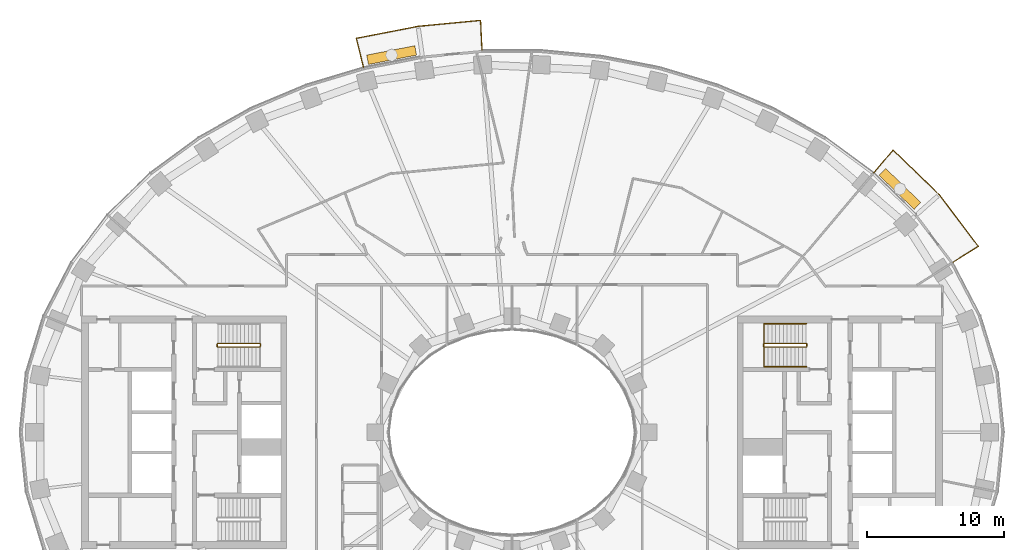
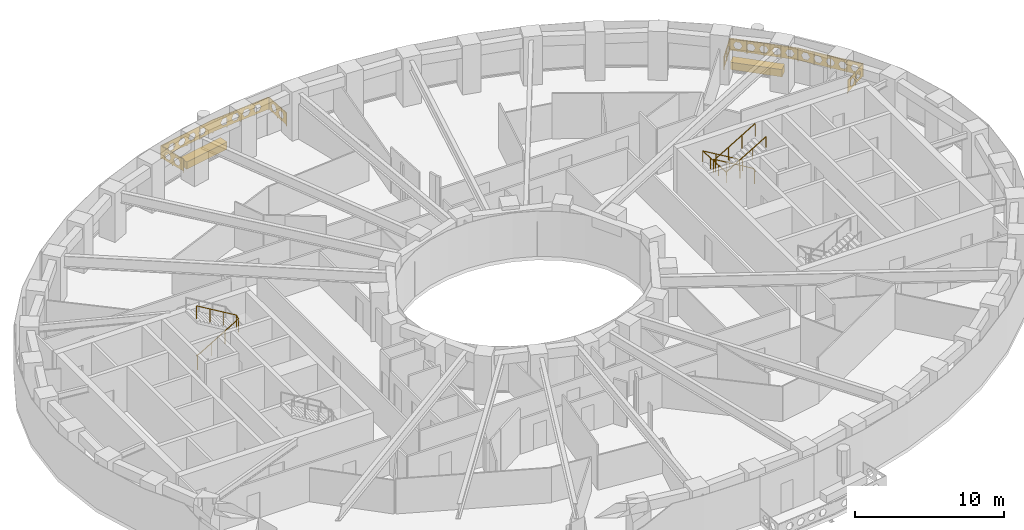
# One storey, part 15 of 16: 5 railings, 2 coverings.
"""IFC4 building model written with IfcOpenShell, lengths in metres."""

from ifc_helpers import new_model, si_unit, direction, frame, origin, origin_2d, place, context, subcontext, project, spatial, polyline, rectangle, outline, extrude, material, type_object, element, save


model = new_model("IFC4")

# Units and contexts
model_context = context("Model", 3, precision=1e-05, world=origin(), true_north=direction((0.0, 1.0)))
body_context = subcontext(model_context, "Body", "Model", "MODEL_VIEW")
ifc_project = project(units=[si_unit("LENGTHUNIT", "METRE"), si_unit("AREAUNIT", "SQUARE_METRE"), si_unit("VOLUMEUNIT", "CUBIC_METRE"), si_unit("PLANEANGLEUNIT", "RADIAN"), si_unit("MASSUNIT", "GRAM", prefix="KILO")], contexts=[model_context])

# Site, building, storey
site_placement = place(None, origin())
site = spatial("IfcSite", under=ifc_project, at=site_placement, CompositionType="ELEMENT")
building_placement = place(site_placement, origin())
building = spatial("IfcBuilding", under=site, at=building_placement, Name="Noorbagh Ring Tower", CompositionType="ELEMENT")
storey_placement = place(building_placement, frame((0.0, 0.0, 96.0)))
storey = spatial("IfcBuildingStorey", under=building, at=storey_placement, Name="L21", CompositionType="ELEMENT", Elevation=96.0)

# Railings
ifc_material_1 = material(Name="Stainless steel", Category="steel")
railing_type_1 = type_object("IfcRailingType", Name="CORE-STAIR-GUARD", PredefinedType="GUARDRAIL", material=ifc_material_1)
railing_1_placement = place(storey_placement, frame((-21.580078125, 6.300048828125, 0.0)))
element("IfcRailing", 1, at=railing_1_placement, inside=storey, type_object=railing_type_1, Name="L21 ST1 stair guard", PredefinedType="GUARDRAIL", context=body_context, shape_type="SweptSolid", body=[
    extrude(rectangle(XDim=0.048095703125, YDim=0.048095703125, at=origin_2d()), frame((0.0, 0.0, 1.076171875), z_axis=(0.0, 1.0, 0.0), x_axis=(-1.0, 0.0, 0.0)), (0.0, 0.0, 1.0), 0.14990234375),
    extrude(rectangle(XDim=0.048095703125, YDim=0.048095703125, at=origin_2d()), frame((0.0, 0.14990234375, 1.076171875), z_axis=(0.188775798145, -0.754182335027, 0.628945707965), x_axis=(0.970072785993, 0.242814311512, 0.0)), (0.0, 0.0, 1.0), 0.26513671875),
    extrude(rectangle(XDim=0.048095703125, YDim=0.048095703125, at=origin_2d()), frame((0.050048828125, -0.050048828125, 1.24267578125), z_axis=(0.859308565015, 0.0, 0.511457515432), x_axis=(0.0, 1.0, 0.0)), (0.0, 0.0, 1.0), 3.58447265625),
    extrude(rectangle(XDim=0.048095703125, YDim=0.048095703125, at=origin_2d()), frame((3.130126953125, -0.050048828125, 3.076171875), z_axis=(0.707106781187, 0.707106781187, 0.0), x_axis=(-0.707106781187, 0.707106781187, 0.0)), (0.0, 0.0, 1.0), 0.07080078125),
    extrude(rectangle(XDim=0.048095703125, YDim=0.048095703125, at=origin_2d()), frame((3.18017578125, 0.0, 3.076171875), z_axis=(0.0, 1.0, 0.0), x_axis=(-1.0, 0.0, 0.0)), (0.0, 0.0, 1.0), 0.14990234375),
    extrude(rectangle(XDim=0.048095703125, YDim=0.048095703125, at=origin_2d()), frame((3.18017578125, 0.14990234375, 3.076171875), z_axis=(-0.27628659633, 0.27628659633, 0.920506074601), x_axis=(-0.707106781187, -0.707106781187, 0.0)), (0.0, 0.0, 1.0), 0.18115234375),
    extrude(rectangle(XDim=0.048095703125, YDim=0.048095703125, at=origin_2d()), frame((3.130126953125, 0.199951171875, 3.24267578125), z_axis=(-0.859308565015, 0.0, 0.511457515432), x_axis=(0.0, -1.0, 0.0)), (0.0, 0.0, 1.0), 3.58447265625),
    extrude(rectangle(XDim=0.0419921875, YDim=0.0419921875, at=origin_2d()), origin(), (0.0, 0.0, 1.0), 1.052001953125),
    extrude(rectangle(XDim=0.0419921875, YDim=0.0419921875, at=origin_2d()), frame((1.07666015625, -0.050048828125, 0.77783203125)), (0.0, 0.0, 1.0), 1.052001953125),
    extrude(rectangle(XDim=0.0419921875, YDim=0.0419921875, at=origin_2d()), frame((2.103515625, -0.050048828125, 1.388916015625)), (0.0, 0.0, 1.0), 1.052001953125),
    extrude(rectangle(XDim=0.0419921875, YDim=0.0419921875, at=origin_2d()), frame((3.130126953125, -0.050048828125, 2.0)), (0.0, 0.0, 1.0), 1.052001953125),
    extrude(rectangle(XDim=0.0419921875, YDim=0.0419921875, at=origin_2d()), frame((3.130126953125, 0.199951171875, 2.166748046875)), (0.0, 0.0, 1.0), 1.052001953125),
    extrude(rectangle(XDim=0.0419921875, YDim=0.0419921875, at=origin_2d()), frame((2.103515625, 0.199951171875, 2.77783203125)), (0.0, 0.0, 1.0), 1.052001953125),
    extrude(rectangle(XDim=0.0419921875, YDim=0.0419921875, at=origin_2d()), frame((1.07666015625, 0.199951171875, 3.388916015625)), (0.0, 0.0, 1.0), 1.052001953125),
    extrude(rectangle(XDim=0.0419921875, YDim=0.0419921875, at=origin_2d()), frame((0.050048828125, 0.199951171875, 4.0)), (0.0, 0.0, 1.0), 1.052001953125),
])
railing_2_placement = place(storey_placement, frame((21.580078125, 6.449951171875, 0.0)))
element("IfcRailing", 2, at=railing_2_placement, inside=storey, type_object=railing_type_1, Name="L21 ST3 stair guard", PredefinedType="GUARDRAIL", context=body_context, shape_type="SweptSolid", body=[
    extrude(rectangle(XDim=0.048095703125, YDim=0.048095703125, at=origin_2d()), frame((0.0, 0.0, 1.076171875), z_axis=(0.0, -1.0, 0.0), x_axis=(1.0, 0.0, 0.0)), (0.0, 0.0, 1.0), 0.14990234375),
    extrude(rectangle(XDim=0.048095703125, YDim=0.048095703125, at=origin_2d()), frame((0.0, -0.14990234375, 1.076171875), z_axis=(-0.188775798145, 0.754182335027, 0.628945707965), x_axis=(-0.970072785993, -0.242814311512, 0.0)), (0.0, 0.0, 1.0), 0.26513671875),
    extrude(rectangle(XDim=0.048095703125, YDim=0.048095703125, at=origin_2d()), frame((-0.050048828125, 0.050048828125, 1.24267578125), z_axis=(-0.859308565015, 0.0, 0.511457515432), x_axis=(0.0, -1.0, 0.0)), (0.0, 0.0, 1.0), 3.58447265625),
    extrude(rectangle(XDim=0.048095703125, YDim=0.048095703125, at=origin_2d()), frame((-3.130126953125, 0.050048828125, 3.076171875), z_axis=(-0.707106781187, -0.707106781187, 0.0), x_axis=(0.707106781187, -0.707106781187, 0.0)), (0.0, 0.0, 1.0), 0.07080078125),
    extrude(rectangle(XDim=0.048095703125, YDim=0.048095703125, at=origin_2d()), frame((-3.18017578125, 0.0, 3.076171875), z_axis=(0.0, -1.0, 0.0), x_axis=(1.0, 0.0, 0.0)), (0.0, 0.0, 1.0), 0.14990234375),
    extrude(rectangle(XDim=0.048095703125, YDim=0.048095703125, at=origin_2d()), frame((-3.18017578125, -0.14990234375, 3.076171875), z_axis=(0.27628659633, -0.27628659633, 0.920506074601), x_axis=(0.707106781187, 0.707106781187, 0.0)), (0.0, 0.0, 1.0), 0.18115234375),
    extrude(rectangle(XDim=0.048095703125, YDim=0.048095703125, at=origin_2d()), frame((-3.130126953125, -0.199951171875, 3.24267578125), z_axis=(0.859308565015, 0.0, 0.511457515432), x_axis=(0.0, 1.0, 0.0)), (0.0, 0.0, 1.0), 3.58447265625),
    extrude(rectangle(XDim=0.0419921875, YDim=0.0419921875, at=origin_2d()), origin(), (0.0, 0.0, 1.0), 1.052001953125),
    extrude(rectangle(XDim=0.0419921875, YDim=0.0419921875, at=origin_2d()), frame((-1.07666015625, 0.050048828125, 0.77783203125)), (0.0, 0.0, 1.0), 1.052001953125),
    extrude(rectangle(XDim=0.0419921875, YDim=0.0419921875, at=origin_2d()), frame((-2.103515625, 0.050048828125, 1.388916015625)), (0.0, 0.0, 1.0), 1.052001953125),
    extrude(rectangle(XDim=0.0419921875, YDim=0.0419921875, at=origin_2d()), frame((-3.130126953125, 0.050048828125, 2.0)), (0.0, 0.0, 1.0), 1.052001953125),
    extrude(rectangle(XDim=0.0419921875, YDim=0.0419921875, at=origin_2d()), frame((-3.130126953125, -0.199951171875, 2.166748046875)), (0.0, 0.0, 1.0), 1.052001953125),
    extrude(rectangle(XDim=0.0419921875, YDim=0.0419921875, at=origin_2d()), frame((-2.103515625, -0.199951171875, 2.77783203125)), (0.0, 0.0, 1.0), 1.052001953125),
    extrude(rectangle(XDim=0.0419921875, YDim=0.0419921875, at=origin_2d()), frame((-1.07666015625, -0.199951171875, 3.388916015625)), (0.0, 0.0, 1.0), 1.052001953125),
    extrude(rectangle(XDim=0.0419921875, YDim=0.0419921875, at=origin_2d()), frame((-0.050048828125, -0.199951171875, 4.0)), (0.0, 0.0, 1.0), 1.052001953125),
])
ifc_material_2 = material(Name="Stainless steel", Category="steel")
railing_type_2 = type_object("IfcRailingType", Name="CORE-STAIR-HANDRAIL", PredefinedType="HANDRAIL", material=ifc_material_2)
railing_3_placement = place(storey_placement, frame((21.530029296875, 7.949951171875, 0.166748046875)))
element("IfcRailing", 3, at=railing_3_placement, inside=storey, type_object=railing_type_2, Name="L21 ST3 stair handrail", PredefinedType="HANDRAIL", context=body_context, shape_type="SweptSolid", body=[
    extrude(rectangle(XDim=0.048095703125, YDim=0.048095703125, at=origin_2d()), frame((0.0, 0.0, 0.8759765625), z_axis=(-0.859308565015, 0.0, 0.511457515432), x_axis=(0.0, -1.0, 0.0)), (0.0, 0.0, 1.0), 3.58447265625),
    extrude(rectangle(XDim=0.048095703125, YDim=0.048095703125, at=origin_2d()), frame((-3.080078125, 0.0, 2.708984375), z_axis=(0.0, -0.998601747152, 0.052863509014), x_axis=(1.0, 0.0, 0.0)), (0.0, 0.0, 1.0), 3.154296875),
    extrude(rectangle(XDim=0.048095703125, YDim=0.048095703125, at=origin_2d()), frame((-3.080078125, -3.14990234375, 2.8759765625), z_axis=(0.859308565015, 0.0, 0.511457515432), x_axis=(0.0, 1.0, 0.0)), (0.0, 0.0, 1.0), 3.58447265625),
    extrude(rectangle(XDim=0.0419921875, YDim=0.0419921875, at=origin_2d()), origin(), (0.0, 0.0, 1.0), 0.851806640625),
    extrude(rectangle(XDim=0.0419921875, YDim=0.0419921875, at=origin_2d()), frame((-1.026611328125, 0.0, 0.611083984375)), (0.0, 0.0, 1.0), 0.851806640625),
    extrude(rectangle(XDim=0.0419921875, YDim=0.0419921875, at=origin_2d()), frame((-2.053466796875, 0.0, 1.22216796875)), (0.0, 0.0, 1.0), 0.851806640625),
    extrude(rectangle(XDim=0.0419921875, YDim=0.0419921875, at=origin_2d()), frame((-3.080078125, 0.0, 1.833251953125)), (0.0, 0.0, 1.0), 0.851806640625),
    extrude(rectangle(XDim=0.0419921875, YDim=0.0419921875, at=origin_2d()), frame((-3.080078125, -1.050048828125, 1.888916015625)), (0.0, 0.0, 1.0), 0.851806640625),
    extrude(rectangle(XDim=0.0419921875, YDim=0.0419921875, at=origin_2d()), frame((-3.080078125, -2.099853515625, 1.9443359375)), (0.0, 0.0, 1.0), 0.851806640625),
    extrude(rectangle(XDim=0.0419921875, YDim=0.0419921875, at=origin_2d()), frame((-3.080078125, -3.14990234375, 2.0)), (0.0, 0.0, 1.0), 0.851806640625),
    extrude(rectangle(XDim=0.0419921875, YDim=0.0419921875, at=origin_2d()), frame((-2.053466796875, -3.14990234375, 2.611083984375)), (0.0, 0.0, 1.0), 0.851806640625),
    extrude(rectangle(XDim=0.0419921875, YDim=0.0419921875, at=origin_2d()), frame((-1.026611328125, -3.14990234375, 3.22216796875)), (0.0, 0.0, 1.0), 0.851806640625),
    extrude(rectangle(XDim=0.0419921875, YDim=0.0419921875, at=origin_2d()), frame((0.0, -3.14990234375, 3.833251953125)), (0.0, 0.0, 1.0), 0.851806640625),
])
ifc_material_3 = material(Name="Steel S275 black powder-coated", Category="steel")
railing_type_3 = type_object("IfcRailingType", Name="ENV-GUARD", PredefinedType="GUARDRAIL", material=ifc_material_3)
railing_4_placement = place(storey_placement, frame((32.255126953125, 12.434814453125, 0.0)))
element("IfcRailing", 4, at=railing_4_placement, inside=storey, type_object=railing_type_3, Name="Balcony guard BN01", PredefinedType="GUARDRAIL", context=body_context, shape_type="SweptSolid", body=[
    extrude(rectangle(XDim=0.048095703125, YDim=0.048095703125, at=origin_2d()), frame((0.0, 0.0, 1.076171875), z_axis=(0.844852397829, 0.534999463442, 0.0), x_axis=(-0.534999463442, 0.844852397829, 0.0)), (0.0, 0.0, 1.0), 2.207763671875),
    extrude(rectangle(XDim=0.048095703125, YDim=0.048095703125, at=origin_2d()), frame((1.865234375, 1.18115234375, 1.076171875), z_axis=(-0.604001613322, 0.796983093362, 0.0), x_axis=(-0.796983093362, -0.604001613322, 0.0)), (0.0, 0.0, 1.0), 4.7353515625),
    extrude(rectangle(XDim=0.048095703125, YDim=0.048095703125, at=origin_2d()), frame((-0.994873046875, 4.955078125, 1.076171875), z_axis=(-0.717212632946, 0.696854388766, 0.0), x_axis=(-0.696854388766, -0.717212632946, 0.0)), (0.0, 0.0, 1.0), 4.700927734375),
    extrude(rectangle(XDim=0.048095703125, YDim=0.048095703125, at=origin_2d()), frame((-4.366455078125, 8.23095703125, 1.076171875), z_axis=(-0.646413574048, -0.762987215677, 0.0), x_axis=(0.762987215677, -0.646413574048, 0.0)), (0.0, 0.0, 1.0), 2.205322265625),
    extrude(rectangle(XDim=0.0419921875, YDim=0.0419921875, at=origin_2d()), origin(), (0.0, 0.0, 1.0), 1.052001953125),
    extrude(rectangle(XDim=0.0419921875, YDim=0.0419921875, at=origin_2d()), frame((0.9326171875, 0.590576171875, 0.0)), (0.0, 0.0, 1.0), 1.052001953125),
    extrude(rectangle(XDim=0.0419921875, YDim=0.0419921875, at=origin_2d()), frame((1.865234375, 1.18115234375, 0.0)), (0.0, 0.0, 1.0), 1.052001953125),
    extrude(rectangle(XDim=0.0419921875, YDim=0.0419921875, at=origin_2d()), frame((1.150146484375, 2.12451171875, 0.0)), (0.0, 0.0, 1.0), 1.052001953125),
    extrude(rectangle(XDim=0.0419921875, YDim=0.0419921875, at=origin_2d()), frame((0.43505859375, 3.068115234375, 0.0)), (0.0, 0.0, 1.0), 1.052001953125),
    extrude(rectangle(XDim=0.0419921875, YDim=0.0419921875, at=origin_2d()), frame((-0.27978515625, 4.01171875, 0.0)), (0.0, 0.0, 1.0), 1.052001953125),
    extrude(rectangle(XDim=0.0419921875, YDim=0.0419921875, at=origin_2d()), frame((-0.994873046875, 4.955078125, 0.0)), (0.0, 0.0, 1.0), 1.052001953125),
    extrude(rectangle(XDim=0.0419921875, YDim=0.0419921875, at=origin_2d()), frame((-1.837890625, 5.77392578125, 0.0)), (0.0, 0.0, 1.0), 1.052001953125),
    extrude(rectangle(XDim=0.0419921875, YDim=0.0419921875, at=origin_2d()), frame((-2.6806640625, 6.593017578125, 0.0)), (0.0, 0.0, 1.0), 1.052001953125),
    extrude(rectangle(XDim=0.0419921875, YDim=0.0419921875, at=origin_2d()), frame((-3.5234375, 7.412109375, 0.0)), (0.0, 0.0, 1.0), 1.052001953125),
    extrude(rectangle(XDim=0.0419921875, YDim=0.0419921875, at=origin_2d()), frame((-4.366455078125, 8.23095703125, 0.0)), (0.0, 0.0, 1.0), 1.052001953125),
    extrude(rectangle(XDim=0.0419921875, YDim=0.0419921875, at=origin_2d()), frame((-5.0791015625, 7.3896484375, 0.0)), (0.0, 0.0, 1.0), 1.052001953125),
    extrude(rectangle(XDim=0.0419921875, YDim=0.0419921875, at=origin_2d()), frame((-5.7919921875, 6.54833984375, 0.0)), (0.0, 0.0, 1.0), 1.052001953125),
    extrude(outline(polyline([(0.0, 0.10009765625), (2.207763671875, 0.10009765625), (2.207763671875, 1.031982421875), (0.0, 1.031982421875), (0.0, 0.10009765625)]), holes=[polyline([(0.9638671875, 0.56591796875), (0.808837890625, 0.83447265625), (0.498779296875, 0.83447265625), (0.343994140625, 0.56591796875), (0.498779296875, 0.297607421875), (0.808837890625, 0.297607421875), (0.9638671875, 0.56591796875)]), polyline([(1.86376953125, 0.56591796875), (1.708984375, 0.83447265625), (1.39892578125, 0.83447265625), (1.243896484375, 0.56591796875), (1.39892578125, 0.297607421875), (1.708984375, 0.297607421875), (1.86376953125, 0.56591796875)])]), frame((-0.00537109375, 0.008544921875, 0.0), z_axis=(0.534999463442, -0.844852397829, 0.0), x_axis=(0.844852397829, 0.534999463442, 0.0)), (0.0, 0.0, 1.0), 0.02001953125),
    extrude(outline(polyline([(0.0, 0.10009765625), (4.7353515625, 0.10009765625), (4.7353515625, 1.031982421875), (0.0, 1.031982421875), (0.0, 0.10009765625)]), holes=[polyline([(0.877685546875, 0.56591796875), (0.72265625, 0.83447265625), (0.41259765625, 0.83447265625), (0.257568359375, 0.56591796875), (0.41259765625, 0.297607421875), (0.72265625, 0.297607421875), (0.877685546875, 0.56591796875)]), polyline([(1.777587890625, 0.56591796875), (1.62255859375, 0.83447265625), (1.312744140625, 0.83447265625), (1.15771484375, 0.56591796875), (1.312744140625, 0.297607421875), (1.62255859375, 0.297607421875), (1.777587890625, 0.56591796875)]), polyline([(2.677734375, 0.56591796875), (2.522705078125, 0.83447265625), (2.212646484375, 0.83447265625), (2.0576171875, 0.56591796875), (2.212646484375, 0.297607421875), (2.522705078125, 0.297607421875), (2.677734375, 0.56591796875)]), polyline([(3.57763671875, 0.56591796875), (3.422607421875, 0.83447265625), (3.112548828125, 0.83447265625), (2.95751953125, 0.56591796875), (3.112548828125, 0.297607421875), (3.422607421875, 0.297607421875), (3.57763671875, 0.56591796875)]), polyline([(4.4775390625, 0.56591796875), (4.32275390625, 0.83447265625), (4.0126953125, 0.83447265625), (3.857666015625, 0.56591796875), (4.0126953125, 0.297607421875), (4.32275390625, 0.297607421875), (4.4775390625, 0.56591796875)])]), frame((1.857177734375, 1.175048828125, 0.0), z_axis=(0.796983093362, 0.604001613322, 0.0), x_axis=(-0.604001613322, 0.796983093362, 0.0)), (0.0, 0.0, 1.0), 0.02001953125),
    extrude(outline(polyline([(0.0, 0.10009765625), (4.700927734375, 0.10009765625), (4.700927734375, 1.031982421875), (0.0, 1.031982421875), (0.0, 0.10009765625)]), holes=[polyline([(0.860595703125, 0.56591796875), (0.70556640625, 0.83447265625), (0.3955078125, 0.83447265625), (0.240478515625, 0.56591796875), (0.3955078125, 0.297607421875), (0.70556640625, 0.297607421875), (0.860595703125, 0.56591796875)]), polyline([(1.760498046875, 0.56591796875), (1.60546875, 0.83447265625), (1.29541015625, 0.83447265625), (1.140380859375, 0.56591796875), (1.29541015625, 0.297607421875), (1.60546875, 0.297607421875), (1.760498046875, 0.56591796875)]), polyline([(2.660400390625, 0.56591796875), (2.50537109375, 0.83447265625), (2.195556640625, 0.83447265625), (2.04052734375, 0.56591796875), (2.195556640625, 0.297607421875), (2.50537109375, 0.297607421875), (2.660400390625, 0.56591796875)]), polyline([(3.560546875, 0.56591796875), (3.405517578125, 0.83447265625), (3.095458984375, 0.83447265625), (2.9404296875, 0.56591796875), (3.095458984375, 0.297607421875), (3.405517578125, 0.297607421875), (3.560546875, 0.56591796875)]), polyline([(4.46044921875, 0.56591796875), (4.305419921875, 0.83447265625), (3.995361328125, 0.83447265625), (3.840576171875, 0.56591796875), (3.995361328125, 0.297607421875), (4.305419921875, 0.297607421875), (4.46044921875, 0.56591796875)])]), frame((-1.001953125, 4.947998046875, 0.0), z_axis=(0.696854388766, 0.717212632946, 0.0), x_axis=(-0.717212632946, 0.696854388766, 0.0)), (0.0, 0.0, 1.0), 0.02001953125),
    extrude(outline(polyline([(0.0, 0.10009765625), (2.205322265625, 0.10009765625), (2.205322265625, 1.031982421875), (0.0, 1.031982421875), (0.0, 0.10009765625)]), holes=[polyline([(0.962646484375, 0.56591796875), (0.8076171875, 0.83447265625), (0.49755859375, 0.83447265625), (0.342529296875, 0.56591796875), (0.49755859375, 0.297607421875), (0.8076171875, 0.297607421875), (0.962646484375, 0.56591796875)]), polyline([(1.862548828125, 0.56591796875), (1.707763671875, 0.83447265625), (1.397705078125, 0.83447265625), (1.24267578125, 0.56591796875), (1.397705078125, 0.297607421875), (1.707763671875, 0.297607421875), (1.862548828125, 0.56591796875)])]), frame((-4.35888671875, 8.224609375, 0.0), z_axis=(-0.762987215677, 0.646413574048, 0.0), x_axis=(-0.646413574048, -0.762987215677, 0.0)), (0.0, 0.0, 1.0), 0.02001953125),
])
railing_5_placement = place(storey_placement, frame((-2.193115234375, 27.947998046875, 0.0)))
element("IfcRailing", 5, at=railing_5_placement, inside=storey, type_object=railing_type_3, Name="Balcony guard BN04", PredefinedType="GUARDRAIL", context=body_context, shape_type="SweptSolid", body=[
    extrude(rectangle(XDim=0.048095703125, YDim=0.048095703125, at=origin_2d()), frame((0.0, 0.0, 1.076171875), z_axis=(-0.047554616162, 0.998868639252, 0.0), x_axis=(-0.998868639252, -0.047554616162, 0.0)), (0.0, 0.0, 1.0), 2.202392578125),
    extrude(rectangle(XDim=0.048095703125, YDim=0.048095703125, at=origin_2d()), frame((-0.104736328125, 2.199951171875, 1.076171875), z_axis=(-0.995477555764, -0.094997031379, 0.0), x_axis=(0.094997031379, -0.995477555764, 0.0)), (0.0, 0.0, 1.0), 4.59765625),
    extrude(rectangle(XDim=0.048095703125, YDim=0.048095703125, at=origin_2d()), frame((-4.681640625, 1.76318359375, 1.076171875), z_axis=(-0.981625049064, -0.1908199755, 0.0), x_axis=(0.1908199755, -0.981625049064, 0.0)), (0.0, 0.0, 1.0), 4.603271484375),
    extrude(rectangle(XDim=0.048095703125, YDim=0.048095703125, at=origin_2d()), frame((-9.200439453125, 0.884765625, 1.076171875), z_axis=(0.239848558412, -0.970810315679, 0.0), x_axis=(0.970810315679, 0.239848558412, 0.0)), (0.0, 0.0, 1.0), 2.20263671875),
    extrude(rectangle(XDim=0.0419921875, YDim=0.0419921875, at=origin_2d()), origin(), (0.0, 0.0, 1.0), 1.052001953125),
    extrude(rectangle(XDim=0.0419921875, YDim=0.0419921875, at=origin_2d()), frame((-0.05224609375, 1.10009765625, 0.0)), (0.0, 0.0, 1.0), 1.052001953125),
    extrude(rectangle(XDim=0.0419921875, YDim=0.0419921875, at=origin_2d()), frame((-0.104736328125, 2.199951171875, 0.0)), (0.0, 0.0, 1.0), 1.052001953125),
    extrude(rectangle(XDim=0.0419921875, YDim=0.0419921875, at=origin_2d()), frame((-1.2490234375, 2.0908203125, 0.0)), (0.0, 0.0, 1.0), 1.052001953125),
    extrude(rectangle(XDim=0.0419921875, YDim=0.0419921875, at=origin_2d()), frame((-2.39306640625, 1.9814453125, 0.0)), (0.0, 0.0, 1.0), 1.052001953125),
    extrude(rectangle(XDim=0.0419921875, YDim=0.0419921875, at=origin_2d()), frame((-3.537353515625, 1.872314453125, 0.0)), (0.0, 0.0, 1.0), 1.052001953125),
    extrude(rectangle(XDim=0.0419921875, YDim=0.0419921875, at=origin_2d()), frame((-4.681640625, 1.76318359375, 0.0)), (0.0, 0.0, 1.0), 1.052001953125),
    extrude(rectangle(XDim=0.0419921875, YDim=0.0419921875, at=origin_2d()), frame((-5.811279296875, 1.54345703125, 0.0)), (0.0, 0.0, 1.0), 1.052001953125),
    extrude(rectangle(XDim=0.0419921875, YDim=0.0419921875, at=origin_2d()), frame((-6.94091796875, 1.323974609375, 0.0)), (0.0, 0.0, 1.0), 1.052001953125),
    extrude(rectangle(XDim=0.0419921875, YDim=0.0419921875, at=origin_2d()), frame((-8.07080078125, 1.1044921875, 0.0)), (0.0, 0.0, 1.0), 1.052001953125),
    extrude(rectangle(XDim=0.0419921875, YDim=0.0419921875, at=origin_2d()), frame((-9.200439453125, 0.884765625, 0.0)), (0.0, 0.0, 1.0), 1.052001953125),
    extrude(rectangle(XDim=0.0419921875, YDim=0.0419921875, at=origin_2d()), frame((-8.936279296875, -0.1845703125, 0.0)), (0.0, 0.0, 1.0), 1.052001953125),
    extrude(rectangle(XDim=0.0419921875, YDim=0.0419921875, at=origin_2d()), frame((-8.672119140625, -1.253662109375, 0.0)), (0.0, 0.0, 1.0), 1.052001953125),
    extrude(outline(polyline([(0.0, 0.10009765625), (2.202392578125, 0.10009765625), (2.202392578125, 1.031982421875), (0.0, 1.031982421875), (0.0, 0.10009765625)]), holes=[polyline([(0.961181640625, 0.56591796875), (0.80615234375, 0.83447265625), (0.496337890625, 0.83447265625), (0.34130859375, 0.56591796875), (0.496337890625, 0.297607421875), (0.80615234375, 0.297607421875), (0.961181640625, 0.56591796875)]), polyline([(1.861328125, 0.56591796875), (1.706298828125, 0.83447265625), (1.396240234375, 0.83447265625), (1.2412109375, 0.56591796875), (1.396240234375, 0.297607421875), (1.706298828125, 0.297607421875), (1.861328125, 0.56591796875)])]), frame((-0.010009765625, -0.00048828125, 0.0), z_axis=(0.998868639252, 0.047554616162, 0.0), x_axis=(-0.047554616162, 0.998868639252, 0.0)), (0.0, 0.0, 1.0), 0.02001953125),
    extrude(outline(polyline([(0.0, 0.10009765625), (4.59765625, 0.10009765625), (4.59765625, 1.031982421875), (0.0, 1.031982421875), (0.0, 0.10009765625)]), holes=[polyline([(1.2587890625, 0.56591796875), (1.103759765625, 0.83447265625), (0.7939453125, 0.83447265625), (0.638916015625, 0.56591796875), (0.7939453125, 0.297607421875), (1.103759765625, 0.297607421875), (1.2587890625, 0.56591796875)]), polyline([(2.158935546875, 0.56591796875), (2.00390625, 0.83447265625), (1.69384765625, 0.83447265625), (1.538818359375, 0.56591796875), (1.69384765625, 0.297607421875), (2.00390625, 0.297607421875), (2.158935546875, 0.56591796875)]), polyline([(3.058837890625, 0.56591796875), (2.90380859375, 0.83447265625), (2.59375, 0.83447265625), (2.43896484375, 0.56591796875), (2.59375, 0.297607421875), (2.90380859375, 0.297607421875), (3.058837890625, 0.56591796875)]), polyline([(3.958740234375, 0.56591796875), (3.803955078125, 0.83447265625), (3.493896484375, 0.83447265625), (3.3388671875, 0.56591796875), (3.493896484375, 0.297607421875), (3.803955078125, 0.297607421875), (3.958740234375, 0.56591796875)])]), frame((-0.103759765625, 2.18994140625, 0.0), z_axis=(-0.094997031379, 0.995477555764, 0.0), x_axis=(-0.995477555764, -0.094997031379, 0.0)), (0.0, 0.0, 1.0), 0.02001953125),
    extrude(outline(polyline([(0.0, 0.10009765625), (4.603271484375, 0.10009765625), (4.603271484375, 1.031982421875), (0.0, 1.031982421875), (0.0, 0.10009765625)]), holes=[polyline([(1.26171875, 0.56591796875), (1.106689453125, 0.83447265625), (0.796630859375, 0.83447265625), (0.6416015625, 0.56591796875), (0.796630859375, 0.297607421875), (1.106689453125, 0.297607421875), (1.26171875, 0.56591796875)]), polyline([(2.16162109375, 0.56591796875), (2.006591796875, 0.83447265625), (1.69677734375, 0.83447265625), (1.541748046875, 0.56591796875), (1.69677734375, 0.297607421875), (2.006591796875, 0.297607421875), (2.16162109375, 0.56591796875)]), polyline([(3.061767578125, 0.56591796875), (2.90673828125, 0.83447265625), (2.5966796875, 0.83447265625), (2.441650390625, 0.56591796875), (2.5966796875, 0.297607421875), (2.90673828125, 0.297607421875), (3.061767578125, 0.56591796875)]), polyline([(3.961669921875, 0.56591796875), (3.806640625, 0.83447265625), (3.49658203125, 0.83447265625), (3.341796875, 0.56591796875), (3.49658203125, 0.297607421875), (3.806640625, 0.297607421875), (3.961669921875, 0.56591796875)])]), frame((-4.6796875, 1.75341796875, 0.0), z_axis=(-0.1908199755, 0.981625049064, 0.0), x_axis=(-0.981625049064, -0.1908199755, 0.0)), (0.0, 0.0, 1.0), 0.02001953125),
    extrude(outline(polyline([(0.0, 0.10009765625), (2.20263671875, 0.10009765625), (2.20263671875, 1.031982421875), (0.0, 1.031982421875), (0.0, 0.10009765625)]), holes=[polyline([(0.96142578125, 0.56591796875), (0.806396484375, 0.83447265625), (0.496337890625, 0.83447265625), (0.34130859375, 0.56591796875), (0.496337890625, 0.297607421875), (0.806396484375, 0.297607421875), (0.96142578125, 0.56591796875)]), polyline([(1.861328125, 0.56591796875), (1.706298828125, 0.83447265625), (1.396240234375, 0.83447265625), (1.241455078125, 0.56591796875), (1.396240234375, 0.297607421875), (1.706298828125, 0.297607421875), (1.861328125, 0.56591796875)])]), frame((-9.190673828125, 0.88720703125, 0.0), z_axis=(-0.970810315679, -0.239848558412, 0.0), x_axis=(0.239848558412, -0.970810315679, 0.0)), (0.0, 0.0, 1.0), 0.02001953125),
])

# Coverings
ifc_material_4 = material(Name="Concrete C30/37 planter with soil", Category="concrete")
covering_type = type_object("IfcCoveringType", Name="ENV-PLANTER", PredefinedType="CLADDING", material=ifc_material_4)
covering_1_placement = place(storey_placement, frame((28.3837890625, 17.814208984375, 0.0), z_axis=(0.0, 0.0, 1.0), x_axis=(-0.717224548362, 0.696842125038, 0.0)))
element("IfcCovering", 6, at=covering_1_placement, inside=storey, type_object=covering_type, Name="PLANTER BN01", ObjectType="PLANTER", PredefinedType="CLADDING", context=body_context, shape_type="SweptSolid", body=[
    extrude(rectangle(XDim=3.584228515625, YDim=0.699951171875, at=origin_2d()), origin(), (0.0, 0.0, 1.0), 0.60009765625),
])
covering_2_placement = place(storey_placement, frame((-8.807861328125, 27.603515625, 0.0), z_axis=(0.0, 0.0, 1.0), x_axis=(-0.981624952922, -0.190820470077, 0.0)))
element("IfcCovering", 7, at=covering_2_placement, inside=storey, type_object=covering_type, Name="PLANTER BN04", ObjectType="PLANTER", PredefinedType="CLADDING", context=body_context, shape_type="SweptSolid", body=[
    extrude(rectangle(XDim=3.586181640625, YDim=0.699951171875, at=origin_2d()), origin(), (0.0, 0.0, 1.0), 0.60009765625),
])

save(model, "model.ifc")
